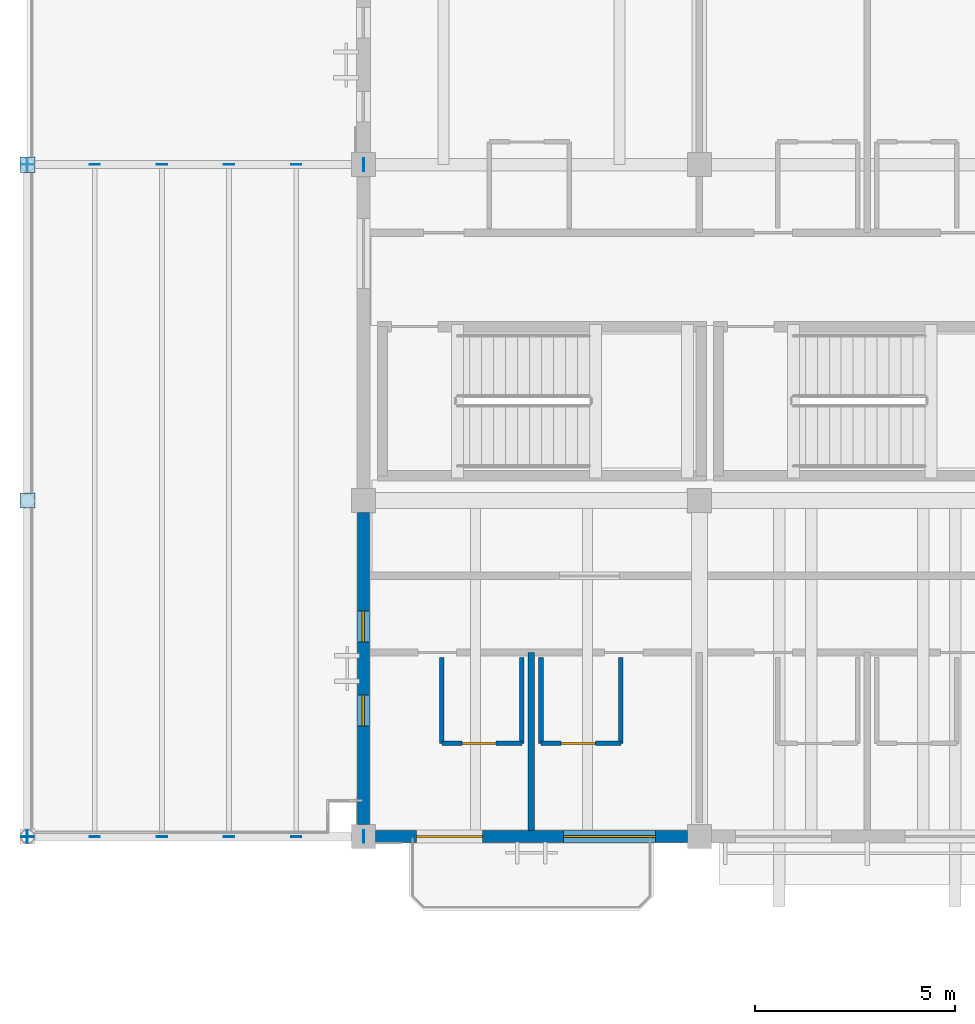
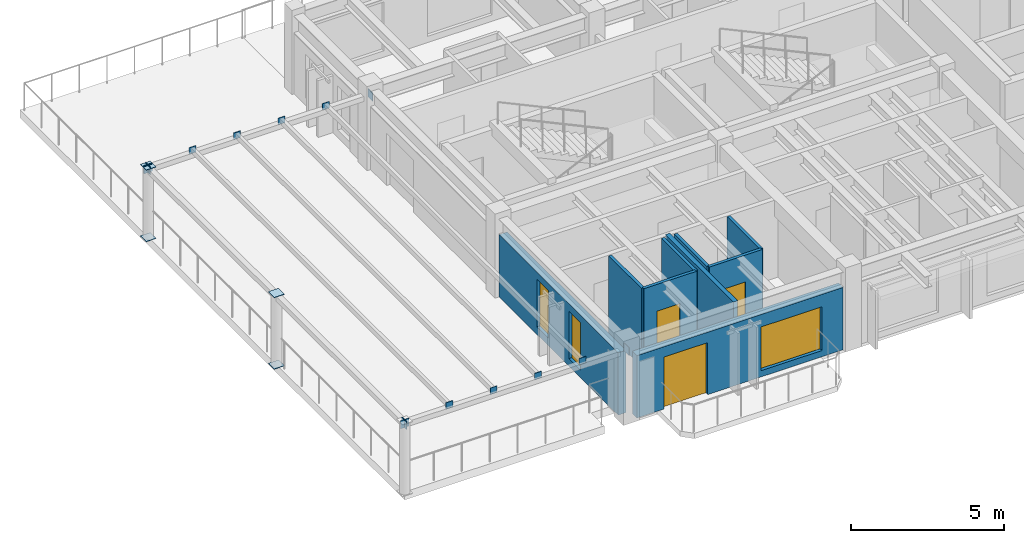
# One storey, part 9 of 22: 18 plates, 9 walls, 3 doors, 3 windows, 6 openings.
"""IFC4 building model written with IfcOpenShell, lengths in metres."""

from ifc_helpers import new_model, si_unit, direction, frame, frame_2d, origin, origin_2d, place, context, subcontext, project, spatial, rectangle, extrude, material, layer, layer_set, type_object, element, fill, save


model = new_model("IFC4")

# Units and contexts
model_context = context("Model", 3, precision=1e-05, world=origin(), true_north=direction((0.0, 1.0)))
body_context = subcontext(model_context, "Body", "Model", "MODEL_VIEW")
ifc_project = project(units=[si_unit("LENGTHUNIT", "METRE"), si_unit("AREAUNIT", "SQUARE_METRE"), si_unit("VOLUMEUNIT", "CUBIC_METRE"), si_unit("PLANEANGLEUNIT", "RADIAN"), si_unit("MASSUNIT", "GRAM", prefix="KILO")], contexts=[model_context])

# Site, building, storey
site_placement = place(None, origin())
site = spatial("IfcSite", under=ifc_project, at=site_placement, CompositionType="ELEMENT")
building_placement = place(site_placement, origin())
building = spatial("IfcBuilding", under=site, at=building_placement, Name="Cumbredor Promenade Congress Hotel", CompositionType="ELEMENT")
storey_placement = place(building_placement, frame((0.0, 0.0, 28.56005859375)))
storey = spatial("IfcBuildingStorey", under=building, at=storey_placement, Name="L08", CompositionType="ELEMENT", Elevation=28.56005859375)

# Plates
ifc_material_1 = material(Name="Steel ASTM A572 Grade 50", Category="steel")
ifc_layer_1 = layer(ifc_material_1, 0.02001953125, Name="Steel ASTM A572 Grade 50", Category="steel")
ifc_layer_set_1 = layer_set([ifc_layer_1], Name="Steel ASTM A572 Grade 50")
plate_type_1 = type_object("IfcPlateType", Name="Hollow Section End Cap Plate CP-04", PredefinedType="USERDEFINED", material=ifc_layer_set_1)
for number, where, z_axis, x_axis, name in (
    (1, (0.0, 100.800048828125, -0.01318359375), (0.0, 0.0, 1.0), (1.0, 0.0, 0.0), "L08 Sky-Garden Pergola Post 4.2 Start Cap Plate"),
    (2, (0.0, 100.800048828125, 2.847900390625), (0.0, 0.0, 1.0), (1.0, 0.0, 0.0), "L08 Sky-Garden Pergola Post 4.2 End Cap Plate"),
    (3, (0.0, 109.199951171875, -0.01318359375), (0.0, 0.0, 1.0), (1.0, 0.0, 0.0), "L08 Sky-Garden Pergola Post 4.3 Start Cap Plate"),
    (4, (0.0, 109.199951171875, 2.847900390625), (0.0, 0.0, 1.0), (1.0, 0.0, 0.0), "L08 Sky-Garden Pergola Post 4.3 End Cap Plate"),
):
    element("IfcPlate", number, at=place(storey_placement, frame(where, z_axis=z_axis, x_axis=x_axis)), inside=storey, type_object=plate_type_1, Name=name, ObjectType="CAP PLATE", PredefinedType="USERDEFINED", context=body_context, shape_type="SweptSolid", body=[
        extrude(rectangle(XDim=0.3798828125, YDim=0.3798828125, at=origin_2d()), origin(), (0.0, 0.0, 1.0), 0.02001953125),
    ])
ifc_layer_2 = layer(ifc_material_1, 0.02001953125, Name="Steel ASTM A572 Grade 50", Category="steel")
ifc_layer_set_2 = layer_set([ifc_layer_2], Name="Steel ASTM A572 Grade 50")
plate_type_2 = type_object("IfcPlateType", Name="Hollow Section End Cap Plate CP-05", PredefinedType="USERDEFINED", material=ifc_layer_set_2)
for number, where, z_axis, x_axis, name in (
    (5, (-0.008056640625, 92.39990234375, 2.58984375), (0.0, 0.0, 1.0), (1.0, 0.0, 0.0), "L08 Sky-Garden Pergola Tie Beam 4S Start Cap Plate"),
    (6, (8.407958984375, 92.39990234375, 2.58984375), (0.0, 0.0, 1.0), (1.0, 0.0, 0.0), "L08 Sky-Garden Pergola Tie Beam 4S End Cap Plate"),
    (7, (-0.008056640625, 109.199951171875, 2.58984375), (0.0, 0.0, 1.0), (1.0, 0.0, 0.0), "L08 Sky-Garden Pergola Tie Beam 4N Start Cap Plate"),
    (8, (8.407958984375, 109.199951171875, 2.58984375), (0.0, 0.0, 1.0), (1.0, 0.0, 0.0), "L08 Sky-Garden Pergola Tie Beam 4N End Cap Plate"),
    (9, (0.0, 92.39208984375, 2.58984375), (0.0, 0.0, 1.0), (0.0, 1.0, 0.0), "L08 Sky-Garden Pergola Tie Beam 4W Start Cap Plate"),
    (10, (0.0, 109.2080078125, 2.58984375), (0.0, 0.0, 1.0), (0.0, 1.0, 0.0), "L08 Sky-Garden Pergola Tie Beam 4W End Cap Plate"),
):
    element("IfcPlate", number, at=place(storey_placement, frame(where, z_axis=z_axis, x_axis=x_axis)), inside=storey, type_object=plate_type_2, Name=name, ObjectType="CAP PLATE", PredefinedType="USERDEFINED", context=body_context, shape_type="SweptSolid", body=[
        extrude(rectangle(XDim=0.02001953125, YDim=0.320068359375, at=origin_2d()), origin(), (0.0, 0.0, 1.0), 0.320068359375),
    ])
ifc_layer_3 = layer(ifc_material_1, 0.02001953125, Name="Steel ASTM A572 Grade 50", Category="steel")
ifc_layer_set_3 = layer_set([ifc_layer_3], Name="Steel ASTM A572 Grade 50")
plate_type_3 = type_object("IfcPlateType", Name="Hollow Section End Cap Plate CP-06", PredefinedType="USERDEFINED", material=ifc_layer_set_3)
for number, where, z_axis, x_axis, name in (
    (11, (1.679931640625, 92.39208984375, 2.77001953125), (0.0, 0.0, 1.0), (0.0, 1.0, 0.0), "L08 Sky-Garden Trellis Slat 4.2 Start Cap Plate"),
    (12, (1.679931640625, 109.2080078125, 2.77001953125), (0.0, 0.0, 1.0), (0.0, 1.0, 0.0), "L08 Sky-Garden Trellis Slat 4.2 End Cap Plate"),
    (13, (3.360107421875, 92.39208984375, 2.77001953125), (0.0, 0.0, 1.0), (0.0, 1.0, 0.0), "L08 Sky-Garden Trellis Slat 4.3 Start Cap Plate"),
    (14, (3.360107421875, 109.2080078125, 2.77001953125), (0.0, 0.0, 1.0), (0.0, 1.0, 0.0), "L08 Sky-Garden Trellis Slat 4.3 End Cap Plate"),
    (15, (5.0400390625, 92.39208984375, 2.77001953125), (0.0, 0.0, 1.0), (0.0, 1.0, 0.0), "L08 Sky-Garden Trellis Slat 4.4 Start Cap Plate"),
    (16, (5.0400390625, 109.2080078125, 2.77001953125), (0.0, 0.0, 1.0), (0.0, 1.0, 0.0), "L08 Sky-Garden Trellis Slat 4.4 End Cap Plate"),
    (17, (6.719970703125, 92.39208984375, 2.77001953125), (0.0, 0.0, 1.0), (0.0, 1.0, 0.0), "L08 Sky-Garden Trellis Slat 4.5 Start Cap Plate"),
    (18, (6.719970703125, 109.2080078125, 2.77001953125), (0.0, 0.0, 1.0), (0.0, 1.0, 0.0), "L08 Sky-Garden Trellis Slat 4.5 End Cap Plate"),
):
    element("IfcPlate", number, at=place(storey_placement, frame(where, z_axis=z_axis, x_axis=x_axis)), inside=storey, type_object=plate_type_3, Name=name, ObjectType="CAP PLATE", PredefinedType="USERDEFINED", context=body_context, shape_type="SweptSolid", body=[
        extrude(rectangle(XDim=0.02001953125, YDim=0.260009765625, at=origin_2d()), origin(), (0.0, 0.0, 1.0), 0.260009765625),
    ])

# Wall, opening, door
ifc_material_2 = material(Name="Moisture-resistant gypsum board on steel studs", Category="steel")
ifc_layer_4 = layer(ifc_material_2, 0.114990234375, Name="Moisture-resistant gypsum board on steel studs", Category="steel")
ifc_layer_set_4 = layer_set([ifc_layer_4], Name="Moisture-resistant gypsum board on steel studs")
wall_type_1 = type_object("IfcWallType", Name="WL-BATH-115", PredefinedType="PARTITIONING", material=ifc_layer_set_4)
wall_1_placement = place(storey_placement, frame((10.360107421875, 94.72998046875, 0.0), z_axis=(0.0, 0.0, 1.0), x_axis=(1.0, 0.0, 0.0)))
wall_1 = element("IfcWall", 19, at=wall_1_placement, inside=storey, type_object=wall_type_1, Name="L08 Interior Partition W-L08-BH-0871", PredefinedType="PARTITIONING", context=body_context, shape_type="SweptSolid", body=[
    extrude(rectangle(XDim=2.0, YDim=0.114990234375, at=frame_2d((1.0, 0.0))), origin(), (0.0, 0.0, 1.0), 3.119873046875),
])
opening_1_placement = place(wall_1_placement, frame((0.5, 0.0, 0.0)))
opening_1 = element("IfcOpeningElement", 20, at=opening_1_placement, cuts=wall_1, Name="Opening ID-01", PredefinedType="OPENING", context=body_context, shape_type="SweptSolid", body=[
    extrude(rectangle(XDim=0.860107421875, YDim=2.050048828125, at=frame_2d((0.43017578125, 1.02490234375))), frame((0.0, 0.0673828125, 0.0), z_axis=(0.0, -1.0, 0.0), x_axis=(1.0, 0.0, 0.0)), (0.0, 0.0, 1.0), 0.135009765625),
])
ifc_material_3 = material(Name="Kiln-dried tropical hardwood", Category="wood")
door_type_1 = type_object("IfcDoorType", Name="DR-BATH-860", OperationType="NOTDEFINED", PredefinedType="DOOR", material=ifc_material_3)
door_1_placement = place(opening_1_placement, origin())
door_1 = element("IfcDoor", 21, at=door_1_placement, inside=storey, type_object=door_type_1, Name="L08 Interior Door W-L08-BH-0871-01", OperationType="SINGLE_SWING_RIGHT", OverallHeight=2.050048828125, OverallWidth=0.860107421875, PredefinedType="DOOR", context=body_context, shape_type="SweptSolid", body=[
    extrude(rectangle(XDim=0.860107421875, YDim=2.050048828125, at=frame_2d((0.43017578125, 1.02490234375))), frame((0.0, 0.02490234375, 0.0), z_axis=(0.0, -1.0, 0.0), x_axis=(1.0, 0.0, 0.0)), (0.0, 0.0, 1.0), 0.050048828125),
])
fill(opening_1, door_1)

# Walls
for number, where, z_axis, x_axis, name in (
    (22, (10.360107421875, 94.72998046875, 0.0), (0.0, 0.0, 1.0), (0.0, 1.0, 0.0), "L08 Interior Partition W-L08-BV1-0871"),
    (23, (12.360107421875, 94.72998046875, 0.0), (0.0, 0.0, 1.0), (0.0, 1.0, 0.0), "L08 Interior Partition W-L08-BV2-0871"),
):
    element("IfcWall", number, at=place(storey_placement, frame(where, z_axis=z_axis, x_axis=x_axis)), inside=storey, type_object=wall_type_1, Name=name, PredefinedType="PARTITIONING", context=body_context, shape_type="SweptSolid", body=[
        extrude(rectangle(XDim=2.14990234375, YDim=0.114990234375, at=frame_2d((1.074951171875, 0.0))), origin(), (0.0, 0.0, 1.0), 3.119873046875),
    ])

# Wall, opening, door
wall_2_placement = place(storey_placement, frame((12.840087890625, 94.72998046875, 0.0), z_axis=(0.0, 0.0, 1.0), x_axis=(1.0, 0.0, 0.0)))
wall_2 = element("IfcWall", 24, at=wall_2_placement, inside=storey, type_object=wall_type_1, Name="L08 Interior Partition W-L08-BH-0872", PredefinedType="PARTITIONING", context=body_context, shape_type="SweptSolid", body=[
    extrude(rectangle(XDim=2.0, YDim=0.114990234375, at=frame_2d((1.0, 0.0))), origin(), (0.0, 0.0, 1.0), 3.119873046875),
])
opening_2_placement = place(wall_2_placement, frame((0.5, 0.0, 0.0)))
opening_2 = element("IfcOpeningElement", 25, at=opening_2_placement, cuts=wall_2, Name="Opening ID-01", PredefinedType="OPENING", context=body_context, shape_type="SweptSolid", body=[
    extrude(rectangle(XDim=0.860107421875, YDim=2.050048828125, at=frame_2d((0.43017578125, 1.02490234375))), frame((0.0, 0.0673828125, 0.0), z_axis=(0.0, -1.0, 0.0), x_axis=(1.0, 0.0, 0.0)), (0.0, 0.0, 1.0), 0.135009765625),
])
door_2_placement = place(opening_2_placement, origin())
door_2 = element("IfcDoor", 26, at=door_2_placement, inside=storey, type_object=door_type_1, Name="L08 Interior Door W-L08-BH-0872-01", OperationType="SINGLE_SWING_LEFT", OverallHeight=2.050048828125, OverallWidth=0.860107421875, PredefinedType="DOOR", context=body_context, shape_type="SweptSolid", body=[
    extrude(rectangle(XDim=0.860107421875, YDim=2.050048828125, at=frame_2d((0.43017578125, 1.02490234375))), frame((0.0, 0.02490234375, 0.0), z_axis=(0.0, -1.0, 0.0), x_axis=(1.0, 0.0, 0.0)), (0.0, 0.0, 1.0), 0.050048828125),
])
fill(opening_2, door_2)

# Walls
for number, where, z_axis, x_axis, name in (
    (27, (12.840087890625, 94.72998046875, 0.0), (0.0, 0.0, 1.0), (0.0, 1.0, 0.0), "L08 Interior Partition W-L08-BV1-0872"),
    (28, (14.840087890625, 94.72998046875, 0.0), (0.0, 0.0, 1.0), (0.0, 1.0, 0.0), "L08 Interior Partition W-L08-BV2-0872"),
):
    element("IfcWall", number, at=place(storey_placement, frame(where, z_axis=z_axis, x_axis=x_axis)), inside=storey, type_object=wall_type_1, Name=name, PredefinedType="PARTITIONING", context=body_context, shape_type="SweptSolid", body=[
        extrude(rectangle(XDim=2.14990234375, YDim=0.114990234375, at=frame_2d((1.074951171875, 0.0))), origin(), (0.0, 0.0, 1.0), 3.119873046875),
    ])

# Wall, openings, door, window
ifc_material_4 = material(Name="Concrete C40/50", Category="concrete")
ifc_layer_5 = layer(ifc_material_4, 0.300048828125, Name="Concrete C40/50", Category="concrete")
ifc_layer_set_5 = layer_set([ifc_layer_5], Name="Concrete C40/50")
wall_type_2 = type_object("IfcWallType", Name="WL-EXT-300", PredefinedType="SOLIDWALL", material=ifc_layer_set_5)
wall_3_placement = place(storey_placement, frame((8.700927734375, 92.39990234375, 0.0), z_axis=(0.0, 0.0, 1.0), x_axis=(1.0, 0.0, 0.0)))
wall_3 = element("IfcWall", 29, at=wall_3_placement, inside=storey, type_object=wall_type_2, Name="L08 Stepped Congress Hotel Wing South Envelope Wall 1", PredefinedType="SOLIDWALL", context=body_context, shape_type="SweptSolid", body=[
    extrude(rectangle(XDim=7.798095703125, YDim=0.300048828125, at=frame_2d((3.89892578125, 0.0))), origin(), (0.0, 0.0, 1.0), 2.493896484375),
])
opening_3_placement = place(wall_3_placement, frame((1.02392578125, 0.0, 0.0)))
opening_3 = element("IfcOpeningElement", 30, at=opening_3_placement, cuts=wall_3, Name="Opening TD-02", PredefinedType="OPENING", context=body_context, shape_type="SweptSolid", body=[
    extrude(rectangle(XDim=1.64990234375, YDim=2.080078125, at=frame_2d((0.824951171875, 1.0400390625))), frame((0.0, 0.16015625, 0.0), z_axis=(0.0, -1.0, 0.0), x_axis=(1.0, 0.0, 0.0)), (0.0, 0.0, 1.0), 0.320068359375),
])
opening_4_placement = place(wall_3_placement, frame((4.698974609375, 0.0, 0.25)))
opening_4 = element("IfcOpeningElement", 31, at=opening_4_placement, cuts=wall_3, Name="Opening WN-25", PredefinedType="OPENING", context=body_context, shape_type="SweptSolid", body=[
    extrude(rectangle(XDim=2.300048828125, YDim=1.75, at=frame_2d((1.14990234375, 0.875))), frame((0.0, 0.16015625, 0.0), z_axis=(0.0, -1.0, 0.0), x_axis=(1.0, 0.0, 0.0)), (0.0, 0.0, 1.0), 0.320068359375),
])
ifc_material_5 = material(Name="Thermally broken anodized aluminium and laminated safety glass", Category="aluminium")
door_type_2 = type_object("IfcDoorType", Name="EXT-DR-TER-1650x2080", OperationType="DOUBLE_DOOR_SINGLE_SWING", PredefinedType="DOOR", material=ifc_material_5)
door_3_placement = place(opening_3_placement, frame((1.64990234375, 0.0, 0.0), z_axis=(0.0, 0.0, 1.0), x_axis=(-1.0, 0.0, 0.0)))
door_3 = element("IfcDoor", 32, at=door_3_placement, inside=storey, type_object=door_type_2, Name="L08 Guestroom Veranda Balcony Door 082", OperationType="DOUBLE_DOOR_SINGLE_SWING", OverallHeight=2.080078125, OverallWidth=1.64990234375, PredefinedType="DOOR", context=body_context, shape_type="SweptSolid", body=[
    extrude(rectangle(XDim=1.64990234375, YDim=2.080078125, at=frame_2d((0.824951171875, 1.0400390625))), frame((0.0, 0.02490234375, 0.0), z_axis=(0.0, -1.0, 0.0), x_axis=(1.0, 0.0, 0.0)), (0.0, 0.0, 1.0), 0.050048828125),
])
fill(opening_3, door_3)
ifc_material_6 = material(Name="Thermally broken anodized aluminium and low-E glass", Category="aluminium")
window_type_1 = type_object("IfcWindowType", Name="Hospitality Floor-to-Ceiling Window WN-25 2300x1750", PartitioningType="DOUBLE_PANEL_VERTICAL", PredefinedType="WINDOW", material=ifc_material_6)
window_1_placement = place(opening_4_placement, origin())
window_1 = element("IfcWindow", 33, at=window_1_placement, inside=storey, type_object=window_type_1, Name="L08 Veranda Companion Floor-to-Ceiling Window 0648", OverallHeight=1.75, OverallWidth=2.300048828125, PartitioningType="DOUBLE_PANEL_VERTICAL", PredefinedType="WINDOW", context=body_context, shape_type="SweptSolid", body=[
    extrude(rectangle(XDim=2.300048828125, YDim=1.75, at=frame_2d((1.14990234375, 0.875))), frame((0.0, 0.030029296875, 0.0), z_axis=(0.0, -1.0, 0.0), x_axis=(1.0, 0.0, 0.0)), (0.0, 0.0, 1.0), 0.06005859375),
])
fill(opening_4, window_1)

# Wall, openings, windows
wall_4_placement = place(storey_placement, frame((8.39990234375, 92.700927734375, 0.0), z_axis=(0.0, 0.0, 1.0), x_axis=(0.0, 1.0, 0.0)))
wall_4 = element("IfcWall", 34, at=wall_4_placement, inside=storey, type_object=wall_type_2, Name="L08 Stepped Congress Hotel Wing West Envelope Wall 1", PredefinedType="SOLIDWALL", context=body_context, shape_type="SweptSolid", body=[
    extrude(rectangle(XDim=7.798095703125, YDim=0.300048828125, at=frame_2d((3.89892578125, 0.0))), origin(), (0.0, 0.0, 1.0), 2.493896484375),
])
opening_5_placement = place(wall_4_placement, frame((2.464111328125, 0.0, 0.300048828125)))
opening_5 = element("IfcOpeningElement", 35, at=opening_5_placement, cuts=wall_4, Name="Opening WN-66", PredefinedType="OPENING", context=body_context, shape_type="SweptSolid", body=[
    extrude(rectangle(XDim=0.77001953125, YDim=1.89990234375, at=frame_2d((0.385009765625, 0.949951171875))), frame((0.0, 0.16015625, 0.0), z_axis=(0.0, -1.0, 0.0), x_axis=(1.0, 0.0, 0.0)), (0.0, 0.0, 1.0), 0.320068359375),
])
opening_6_placement = place(wall_4_placement, frame((4.56396484375, 0.0, 0.300048828125)))
opening_6 = element("IfcOpeningElement", 36, at=opening_6_placement, cuts=wall_4, Name="Opening WN-66", PredefinedType="OPENING", context=body_context, shape_type="SweptSolid", body=[
    extrude(rectangle(XDim=0.77001953125, YDim=1.89990234375, at=frame_2d((0.385009765625, 0.949951171875))), frame((0.0, 0.16015625, 0.0), z_axis=(0.0, -1.0, 0.0), x_axis=(1.0, 0.0, 0.0)), (0.0, 0.0, 1.0), 0.320068359375),
])
window_type_2 = type_object("IfcWindowType", Name="Vertical Slot Window WN-66 770x1900", PartitioningType="SINGLE_PANEL", PredefinedType="WINDOW", material=ifc_material_6)
window_2_placement = place(opening_5_placement, origin())
window_2 = element("IfcWindow", 37, at=window_2_placement, inside=storey, type_object=window_type_2, Name="L08 Vertical Slot Window 0669", OverallHeight=1.89990234375, OverallWidth=0.77001953125, PartitioningType="SINGLE_PANEL", PredefinedType="WINDOW", context=body_context, shape_type="SweptSolid", body=[
    extrude(rectangle(XDim=0.77001953125, YDim=1.89990234375, at=frame_2d((0.385009765625, 0.949951171875))), frame((0.0, 0.030029296875, 0.0), z_axis=(0.0, -1.0, 0.0), x_axis=(1.0, 0.0, 0.0)), (0.0, 0.0, 1.0), 0.06005859375),
])
fill(opening_5, window_2)
window_3_placement = place(opening_6_placement, origin())
window_3 = element("IfcWindow", 38, at=window_3_placement, inside=storey, type_object=window_type_2, Name="L08 Vertical Slot Window 0670", OverallHeight=1.89990234375, OverallWidth=0.77001953125, PartitioningType="SINGLE_PANEL", PredefinedType="WINDOW", context=body_context, shape_type="SweptSolid", body=[
    extrude(rectangle(XDim=0.77001953125, YDim=1.89990234375, at=frame_2d((0.385009765625, 0.949951171875))), frame((0.0, 0.030029296875, 0.0), z_axis=(0.0, -1.0, 0.0), x_axis=(1.0, 0.0, 0.0)), (0.0, 0.0, 1.0), 0.06005859375),
])
fill(opening_6, window_3)

# Wall
ifc_material_7 = material(Name="Fire-rated acoustic double-stud partition")
ifc_layer_6 = layer(ifc_material_7, 0.1650390625, Name="Fire-rated acoustic double-stud partition")
ifc_layer_set_6 = layer_set([ifc_layer_6], Name="Fire-rated acoustic double-stud partition")
wall_type_3 = type_object("IfcWallType", Name="WL-UNIT-165", PredefinedType="PARTITIONING", material=ifc_layer_set_6)
wall_5_placement = place(storey_placement, frame((12.60009765625, 92.550048828125, 0.0), z_axis=(0.0, 0.0, 1.0), x_axis=(0.0, 1.0, 0.0)))
element("IfcWall", 39, at=wall_5_placement, inside=storey, type_object=wall_type_3, Name="L08 Interior Partition W-L08-SC-DIV-0-M", PredefinedType="PARTITIONING", context=body_context, shape_type="SweptSolid", body=[
    extrude(rectangle(XDim=4.449951171875, YDim=0.1650390625, at=frame_2d((2.22509765625, 0.0))), origin(), (0.0, 0.0, 1.0), 3.119873046875),
])

save(model, "model.ifc")
